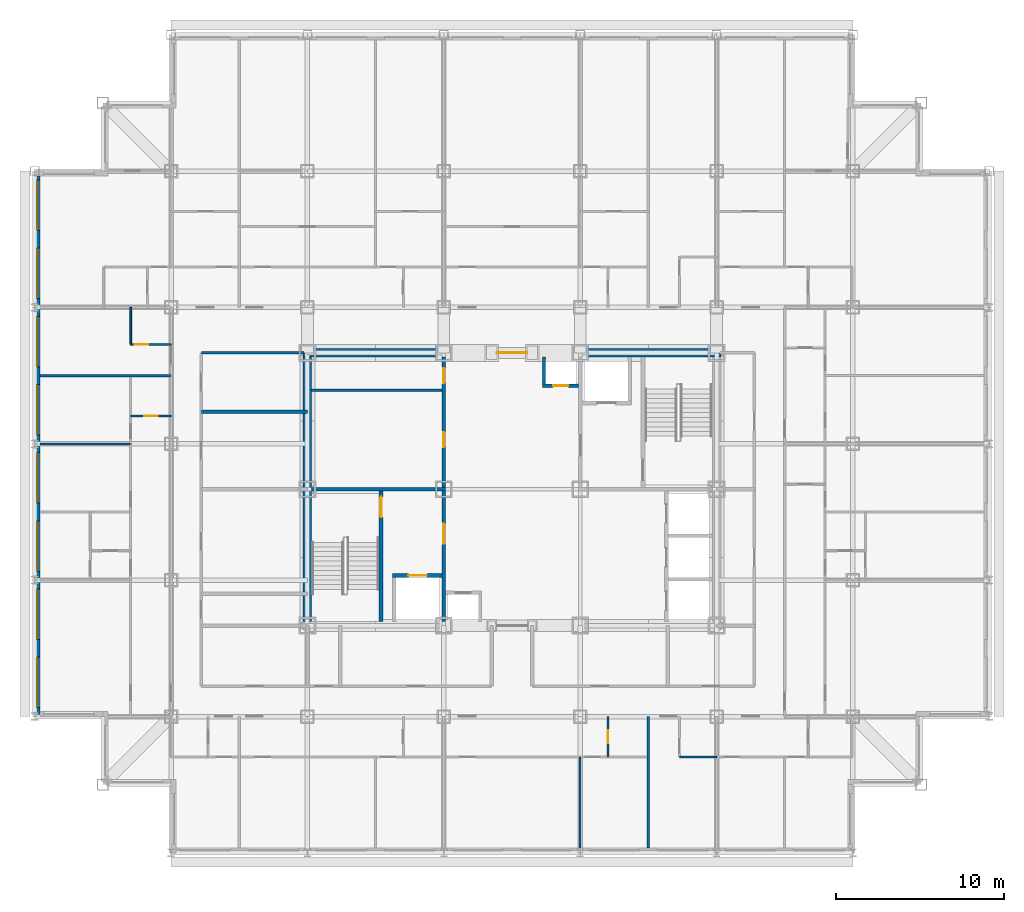
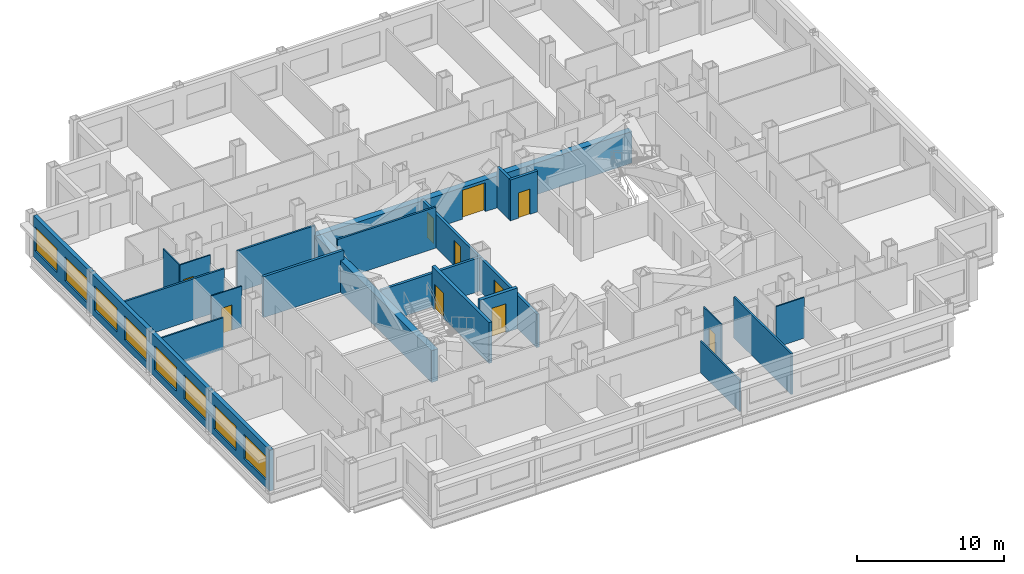
# One storey, part 6 of 12: 22 walls, 10 doors, 8 windows, 18 openings.
"""IFC4 building model written with IfcOpenShell, lengths in metres."""

from ifc_helpers import new_model, si_unit, direction, frame, frame_2d, origin, place, context, subcontext, project, spatial, rectangle, extrude, material, layer, layer_set, type_object, element, fill, save


model = new_model("IFC4")

# Units and contexts
model_context = context("Model", 3, precision=1e-05, world=origin(), true_north=direction((0.0, 1.0)))
body_context = subcontext(model_context, "Body", "Model", "MODEL_VIEW")
ifc_project = project(units=[si_unit("LENGTHUNIT", "METRE"), si_unit("AREAUNIT", "SQUARE_METRE"), si_unit("VOLUMEUNIT", "CUBIC_METRE"), si_unit("PLANEANGLEUNIT", "RADIAN"), si_unit("MASSUNIT", "GRAM", prefix="KILO")], contexts=[model_context])

# Site, building, storey
site_placement = place(None, origin())
site = spatial("IfcSite", under=ifc_project, at=site_placement, CompositionType="ELEMENT")
building_placement = place(site_placement, origin())
building = spatial("IfcBuilding", under=site, at=building_placement, Name="Kopane Lantern Tower", CompositionType="ELEMENT")
storey_placement = place(building_placement, frame((0.0, 0.0, 224.39990234375)))
storey = spatial("IfcBuildingStorey", under=building, at=storey_placement, Name="L58", CompositionType="ELEMENT", Elevation=224.39990234375)

# Walls
ifc_material_1 = material(Name="Gypsum board on steel studs", Category="steel")
ifc_layer_1 = layer(ifc_material_1, 0.1201171875)
ifc_layer_set_1 = layer_set([ifc_layer_1], Name="APARTMENT INTERNAL WALL 120")
wall_type_1 = type_object("IfcWallType", Name="APARTMENT INTERNAL WALL 120", PredefinedType="PARTITIONING", material=ifc_layer_set_1)
for number, where, z_axis, x_axis, name in (
    (1, (32.39990234375, 16.5, 0.0), (0.0, 0.0, 1.0), (0.0, -1.0, 0.0), "Apartment Internal Wall 120 L58"),
    (2, (5.699951171875, 35.10009765625, 0.0), (0.0, 0.0, 1.0), (-1.0, 0.0, 0.0), "Apartment Internal Wall 120 L58"),
):
    element("IfcWall", number, at=place(storey_placement, frame(where, z_axis=z_axis, x_axis=x_axis)), inside=storey, type_object=wall_type_1, Name=name, PredefinedType="PARTITIONING", context=body_context, shape_type="SweptSolid", body=[
        extrude(rectangle(XDim=5.39990234375, YDim=0.1201171875, at=frame_2d((2.699951171875, 0.0))), origin(), (0.0, 0.0, 1.0), 2.6279296875),
    ])

# Wall, opening, door
ifc_material_2 = material(Name="Moisture-resistant board on steel studs", Category="steel")
ifc_layer_2 = layer(ifc_material_2, 0.10009765625)
ifc_layer_set_2 = layer_set([ifc_layer_2], Name="BATHROOM WALL 100")
wall_type_2 = type_object("IfcWallType", Name="BATHROOM WALL 100", PredefinedType="PARTITIONING", material=ifc_layer_set_2)
wall_1_placement = place(storey_placement, frame((34.050048828125, 18.89990234375, 0.0), z_axis=(0.0, 0.0, 1.0), x_axis=(0.0, -1.0, 0.0)))
wall_1 = element("IfcWall", 3, at=wall_1_placement, inside=storey, type_object=wall_type_2, Name="Bathroom Wall 100 L58", PredefinedType="PARTITIONING", context=body_context, shape_type="SweptSolid", body=[
    extrude(rectangle(XDim=2.39990234375, YDim=0.10009765625, at=frame_2d((1.199951171875, 0.0))), origin(), (0.0, 0.0, 1.0), 3.39013671875),
])
opening_1_placement = place(wall_1_placement, frame((0.800048828125, 0.0, 0.0)))
opening_1 = element("IfcOpeningElement", 4, at=opening_1_placement, cuts=wall_1, Name="Opening L58-016", PredefinedType="OPENING", context=body_context, shape_type="SweptSolid", body=[
    extrude(rectangle(XDim=0.800048828125, YDim=2.10009765625, at=frame_2d((0.39990234375, 1.050048828125))), frame((0.0, 0.06005859375, 0.0), z_axis=(0.0, -1.0, 0.0), x_axis=(1.0, 0.0, 0.0)), (0.0, 0.0, 1.0), 0.1201171875),
])
ifc_material_3 = material(Name="Timber door set", Category="wood")
door_type_1 = type_object("IfcDoorType", Name="DOOR D2 800x2100", OperationType="SINGLE_SWING_LEFT", PredefinedType="DOOR", material=ifc_material_3)
door_1_placement = place(opening_1_placement, origin())
door_1 = element("IfcDoor", 5, at=door_1_placement, inside=storey, type_object=door_type_1, Name="Door L58-016", OperationType="SINGLE_SWING_LEFT", OverallHeight=2.10009765625, OverallWidth=0.800048828125, PredefinedType="DOOR", context=body_context, shape_type="SweptSolid", body=[
    extrude(rectangle(XDim=0.800048828125, YDim=2.10009765625, at=frame_2d((0.39990234375, 1.050048828125))), frame((0.0, 0.02490234375, 0.0), z_axis=(0.0, -1.0, 0.0), x_axis=(1.0, 0.0, 0.0)), (0.0, 0.0, 1.0), 0.050048828125),
])
fill(opening_1, door_1)

# Wall
wall_2_placement = place(storey_placement, frame((38.300048828125, 16.5, 0.0), z_axis=(0.0, 0.0, 1.0), x_axis=(1.0, 0.0, 0.0)))
element("IfcWall", 6, at=wall_2_placement, inside=storey, type_object=wall_type_2, Name="Bathroom Wall 100 L58", PredefinedType="PARTITIONING", context=body_context, shape_type="SweptSolid", body=[
    extrude(rectangle(XDim=2.199951171875, YDim=0.10009765625, at=frame_2d((1.10009765625, 0.0))), origin(), (0.0, 0.0, 1.0), 3.39013671875),
])

# Wall, opening, door
wall_3_placement = place(storey_placement, frame((8.10009765625, 36.75, 0.0), z_axis=(0.0, 0.0, 1.0), x_axis=(-1.0, 0.0, 0.0)))
wall_3 = element("IfcWall", 7, at=wall_3_placement, inside=storey, type_object=wall_type_2, Name="Bathroom Wall 100 L58", PredefinedType="PARTITIONING", context=body_context, shape_type="SweptSolid", body=[
    extrude(rectangle(XDim=2.400146484375, YDim=0.10009765625, at=frame_2d((1.2001953125, 0.0))), origin(), (0.0, 0.0, 1.0), 3.39013671875),
])
opening_2_placement = place(wall_3_placement, frame((0.800048828125, 0.0, 0.0)))
opening_2 = element("IfcOpeningElement", 8, at=opening_2_placement, cuts=wall_3, Name="Opening L58-032", PredefinedType="OPENING", context=body_context, shape_type="SweptSolid", body=[
    extrude(rectangle(XDim=0.800048828125, YDim=2.10009765625, at=frame_2d((0.39990234375, 1.050048828125))), frame((0.0, 0.06005859375, 0.0), z_axis=(0.0, -1.0, 0.0), x_axis=(1.0, 0.0, 0.0)), (0.0, 0.0, 1.0), 0.1201171875),
])
door_2_placement = place(opening_2_placement, origin())
door_2 = element("IfcDoor", 9, at=door_2_placement, inside=storey, type_object=door_type_1, Name="Door L58-032", OperationType="SINGLE_SWING_RIGHT", OverallHeight=2.10009765625, OverallWidth=0.800048828125, PredefinedType="DOOR", context=body_context, shape_type="SweptSolid", body=[
    extrude(rectangle(XDim=0.800048828125, YDim=2.10009765625, at=frame_2d((0.39990234375, 1.050048828125))), frame((0.0, 0.02490234375, 0.0), z_axis=(0.0, -1.0, 0.0), x_axis=(1.0, 0.0, 0.0)), (0.0, 0.0, 1.0), 0.050048828125),
])
fill(opening_2, door_2)

# Wall
wall_4_placement = place(storey_placement, frame((5.699951171875, 41.0, 0.0), z_axis=(0.0, 0.0, 1.0), x_axis=(0.0, 1.0, 0.0)))
element("IfcWall", 10, at=wall_4_placement, inside=storey, type_object=wall_type_2, Name="Bathroom Wall 100 L58", PredefinedType="PARTITIONING", context=body_context, shape_type="SweptSolid", body=[
    extrude(rectangle(XDim=2.199951171875, YDim=0.10009765625, at=frame_2d((1.10009765625, 0.0))), origin(), (0.0, 0.0, 1.0), 3.39013671875),
])

# Wall, opening, door
wall_5_placement = place(storey_placement, frame((8.10009765625, 41.0, 0.0), z_axis=(0.0, 0.0, 1.0), x_axis=(-1.0, 0.0, 0.0)))
wall_5 = element("IfcWall", 11, at=wall_5_placement, inside=storey, type_object=wall_type_2, Name="Bathroom Wall 100 L58", PredefinedType="PARTITIONING", context=body_context, shape_type="SweptSolid", body=[
    extrude(rectangle(XDim=2.400146484375, YDim=0.10009765625, at=frame_2d((1.2001953125, 0.0))), origin(), (0.0, 0.0, 1.0), 3.39013671875),
])
opening_3_placement = place(wall_5_placement, frame((1.35009765625, 0.0, 0.0)))
opening_3 = element("IfcOpeningElement", 12, at=opening_3_placement, cuts=wall_5, Name="Opening L58-039", PredefinedType="OPENING", context=body_context, shape_type="SweptSolid", body=[
    extrude(rectangle(XDim=0.800048828125, YDim=2.10009765625, at=frame_2d((0.39990234375, 1.050048828125))), frame((0.0, 0.06005859375, 0.0), z_axis=(0.0, -1.0, 0.0), x_axis=(1.0, 0.0, 0.0)), (0.0, 0.0, 1.0), 0.1201171875),
])
door_3_placement = place(opening_3_placement, origin())
door_3 = element("IfcDoor", 13, at=door_3_placement, inside=storey, type_object=door_type_1, Name="Door L58-039", OperationType="SINGLE_SWING_LEFT", OverallHeight=2.10009765625, OverallWidth=0.800048828125, PredefinedType="DOOR", context=body_context, shape_type="SweptSolid", body=[
    extrude(rectangle(XDim=0.800048828125, YDim=2.10009765625, at=frame_2d((0.39990234375, 1.050048828125))), frame((0.0, 0.02490234375, 0.0), z_axis=(0.0, -1.0, 0.0), x_axis=(1.0, 0.0, 0.0)), (0.0, 0.0, 1.0), 0.050048828125),
])
fill(opening_3, door_3)

ifc_material_4 = material(Name="Gypsum shaft wall EI 120", Category="gypsum")
ifc_layer_3 = layer(ifc_material_4, 0.5)
ifc_layer_set_3 = layer_set([ifc_layer_3], Name="CORE PERIMETER WALL 500 EI 120")
wall_type_3 = type_object("IfcWallType", Name="CORE PERIMETER WALL 500 EI 120", PredefinedType="SOLIDWALL", material=ifc_layer_set_3)
wall_6_placement = place(storey_placement, frame((15.949951171875, 40.5, 0.0), z_axis=(0.0, 0.0, 1.0), x_axis=(1.0, 0.0, 0.0)))
wall_6 = element("IfcWall", 14, at=wall_6_placement, inside=storey, type_object=wall_type_3, Name="Core shaft wall L58 PN", PredefinedType="SOLIDWALL", context=body_context, shape_type="SweptSolid", body=[
    extrude(rectangle(XDim=24.800048828125, YDim=0.5, at=frame_2d((12.39990234375, 0.0))), origin(), (0.0, 0.0, 1.0), 2.6279296875),
])
opening_4_placement = place(wall_6_placement, frame((11.5, 0.0, 0.0)))
opening_4 = element("IfcOpeningElement", 15, at=opening_4_placement, cuts=wall_6, Name="Opening 58.CE-N", PredefinedType="OPENING", context=body_context, shape_type="SweptSolid", body=[
    extrude(rectangle(XDim=1.800048828125, YDim=2.39990234375, at=frame_2d((0.89990234375, 1.199951171875))), frame((0.0, 0.260009765625, 0.0), z_axis=(0.0, -1.0, 0.0), x_axis=(1.0, 0.0, 0.0)), (0.0, 0.0, 1.0), 0.52001953125),
])
ifc_material_5 = material(Name="Steel door set", Category="steel")
door_type_2 = type_object("IfcDoorType", Name="CORE ENTRY DOOR 1800x2400 FD60S", OperationType="DOUBLE_DOOR_SINGLE_SWING", PredefinedType="DOOR", material=ifc_material_5)
door_4_placement = place(opening_4_placement, origin())
door_4 = element("IfcDoor", 16, at=door_4_placement, inside=storey, type_object=door_type_2, Name="Core entry door L58 north", OperationType="DOUBLE_DOOR_SINGLE_SWING", OverallHeight=2.39990234375, OverallWidth=1.800048828125, PredefinedType="DOOR", context=body_context, shape_type="SweptSolid", body=[
    extrude(rectangle(XDim=1.800048828125, YDim=2.39990234375, at=frame_2d((0.89990234375, 1.199951171875))), frame((0.0, 0.02490234375, 0.0), z_axis=(0.0, -1.0, 0.0), x_axis=(1.0, 0.0, 0.0)), (0.0, 0.0, 1.0), 0.050048828125),
])
fill(opening_4, door_4)

# Walls
wall_7_placement = place(storey_placement, frame((16.199951171875, 24.550048828125, 0.0), z_axis=(0.0, 0.0, 1.0), x_axis=(0.0, 1.0, 0.0)))
element("IfcWall", 17, at=wall_7_placement, inside=storey, type_object=wall_type_3, Name="Core shaft wall L58 PW", PredefinedType="SOLIDWALL", context=body_context, shape_type="SweptSolid", body=[
    extrude(rectangle(XDim=15.699951171875, YDim=0.5, at=frame_2d((7.85009765625, 0.0))), origin(), (0.0, 0.0, 1.0), 2.6279296875),
])
ifc_material_6 = material(Name="Gypsum partition EI 60", Category="gypsum")
ifc_layer_4 = layer(ifc_material_6, 0.14990234375)
ifc_layer_set_4 = layer_set([ifc_layer_4], Name="CORE ROOM PARTITION 150 EI 60")
wall_type_4 = type_object("IfcWallType", Name="CORE ROOM PARTITION 150 EI 60", PredefinedType="PARTITIONING", material=ifc_layer_set_4)
wall_8_placement = place(storey_placement, frame((16.449951171875, 38.27490234375, 0.0), z_axis=(0.0, 0.0, 1.0), x_axis=(1.0, 0.0, 0.0)))
element("IfcWall", 18, at=wall_8_placement, inside=storey, type_object=wall_type_4, Name="Core room partition L58 WW1", PredefinedType="PARTITIONING", context=body_context, shape_type="SweptSolid", body=[
    extrude(rectangle(XDim=7.75, YDim=0.14990234375, at=frame_2d((3.875, 0.0))), origin(), (0.0, 0.0, 1.0), 3.39013671875),
])

# Wall, openings, doors
ifc_material_7 = material(Name="Gypsum partition EI 60", Category="gypsum")
ifc_layer_5 = layer(ifc_material_7, 0.199951171875)
ifc_layer_set_5 = layer_set([ifc_layer_5], Name="CORE ROOM WALL 200 EI 60")
wall_type_5 = type_object("IfcWallType", Name="CORE ROOM WALL 200 EI 60", PredefinedType="PARTITIONING", material=ifc_layer_set_5)
wall_9_placement = place(storey_placement, frame((24.300048828125, 32.5, 0.0), z_axis=(0.0, 0.0, 1.0), x_axis=(0.0, 1.0, 0.0)))
wall_9 = element("IfcWall", 19, at=wall_9_placement, inside=storey, type_object=wall_type_5, Name="Core room wall L58 XW", PredefinedType="PARTITIONING", context=body_context, shape_type="SweptSolid", body=[
    extrude(rectangle(XDim=7.75, YDim=0.199951171875, at=frame_2d((3.875, 0.0))), origin(), (0.0, 0.0, 1.0), 2.77783203125),
])
opening_5_placement = place(wall_9_placement, frame((2.39990234375, 0.0, 0.0)))
opening_5 = element("IfcOpeningElement", 20, at=opening_5_placement, cuts=wall_9, Name="Opening 58.C30", PredefinedType="OPENING", context=body_context, shape_type="SweptSolid", body=[
    extrude(rectangle(XDim=0.89990234375, YDim=2.10009765625, at=frame_2d((0.449951171875, 1.050048828125))), frame((0.0, 0.10986328125, 0.0), z_axis=(0.0, -1.0, 0.0), x_axis=(1.0, 0.0, 0.0)), (0.0, 0.0, 1.0), 0.219970703125),
])
opening_6_placement = place(wall_9_placement, frame((6.199951171875, 0.0, 0.0)))
opening_6 = element("IfcOpeningElement", 21, at=opening_6_placement, cuts=wall_9, Name="Opening 58.C31", PredefinedType="OPENING", context=body_context, shape_type="SweptSolid", body=[
    extrude(rectangle(XDim=0.89990234375, YDim=2.10009765625, at=frame_2d((0.449951171875, 1.050048828125))), frame((0.0, 0.10986328125, 0.0), z_axis=(0.0, -1.0, 0.0), x_axis=(1.0, 0.0, 0.0)), (0.0, 0.0, 1.0), 0.219970703125),
])
ifc_material_8 = material(Name="Steel door set", Category="steel")
door_type_3 = type_object("IfcDoorType", Name="CORE ROOM DOOR 900x2100 FD60", OperationType="SINGLE_SWING_LEFT", PredefinedType="DOOR", material=ifc_material_8)
door_5_placement = place(opening_5_placement, origin())
door_5 = element("IfcDoor", 22, at=door_5_placement, inside=storey, type_object=door_type_3, Name="Door Residents storage L58", OperationType="SINGLE_SWING_LEFT", OverallHeight=2.10009765625, OverallWidth=0.89990234375, PredefinedType="DOOR", context=body_context, shape_type="SweptSolid", body=[
    extrude(rectangle(XDim=0.89990234375, YDim=2.10009765625, at=frame_2d((0.449951171875, 1.050048828125))), frame((0.0, 0.02490234375, 0.0), z_axis=(0.0, -1.0, 0.0), x_axis=(1.0, 0.0, 0.0)), (0.0, 0.0, 1.0), 0.050048828125),
])
fill(opening_5, door_5)
door_6_placement = place(opening_6_placement, origin())
door_6 = element("IfcDoor", 23, at=door_6_placement, inside=storey, type_object=door_type_3, Name="Door Refuse room L58", OperationType="SINGLE_SWING_LEFT", OverallHeight=2.10009765625, OverallWidth=0.89990234375, PredefinedType="DOOR", context=body_context, shape_type="SweptSolid", body=[
    extrude(rectangle(XDim=0.89990234375, YDim=2.10009765625, at=frame_2d((0.449951171875, 1.050048828125))), frame((0.0, 0.02490234375, 0.0), z_axis=(0.0, -1.0, 0.0), x_axis=(1.0, 0.0, 0.0)), (0.0, 0.0, 1.0), 0.050048828125),
])
fill(opening_6, door_6)

# Wall, opening, door
ifc_material_9 = material(Name="Gypsum shaft wall EI 120", Category="gypsum")
ifc_layer_6 = layer(ifc_material_9, 0.25)
ifc_layer_set_6 = layer_set([ifc_layer_6], Name="CORE SHAFT WALL 250 EI 120")
wall_type_6 = type_object("IfcWallType", Name="CORE SHAFT WALL 250 EI 120", PredefinedType="SOLIDWALL", material=ifc_layer_set_6)
wall_10_placement = place(storey_placement, frame((20.574951171875, 24.550048828125, 0.0), z_axis=(0.0, 0.0, 1.0), x_axis=(0.0, 1.0, 0.0)))
wall_10 = element("IfcWall", 24, at=wall_10_placement, inside=storey, type_object=wall_type_6, Name="Core shaft wall L58 XST1", PredefinedType="SOLIDWALL", context=body_context, shape_type="SweptSolid", body=[
    extrude(rectangle(XDim=7.75, YDim=0.25, at=frame_2d((3.875, 0.0))), origin(), (0.0, 0.0, 1.0), 3.39013671875),
])
opening_7_placement = place(wall_10_placement, frame((6.199951171875, 0.0, 0.0)))
opening_7 = element("IfcOpeningElement", 25, at=opening_7_placement, cuts=wall_10, Name="Opening 58.SD1", PredefinedType="OPENING", context=body_context, shape_type="SweptSolid", body=[
    extrude(rectangle(XDim=1.199951171875, YDim=2.10009765625, at=frame_2d((0.60009765625, 1.050048828125))), frame((0.0, 0.135009765625, 0.0), z_axis=(0.0, -1.0, 0.0), x_axis=(1.0, 0.0, 0.0)), (0.0, 0.0, 1.0), 0.27001953125),
])
ifc_material_10 = material(Name="Steel door set", Category="steel")
door_type_4 = type_object("IfcDoorType", Name="STAIR DOOR 1200x2100 FD60S", OperationType="SINGLE_SWING_LEFT", PredefinedType="DOOR", material=ifc_material_10)
door_7_placement = place(opening_7_placement, origin())
door_7 = element("IfcDoor", 26, at=door_7_placement, inside=storey, type_object=door_type_4, Name="Stair door ST1 L58", OperationType="SINGLE_SWING_LEFT", OverallHeight=2.10009765625, OverallWidth=1.199951171875, PredefinedType="DOOR", context=body_context, shape_type="SweptSolid", body=[
    extrude(rectangle(XDim=1.199951171875, YDim=2.10009765625, at=frame_2d((0.60009765625, 1.050048828125))), frame((0.0, 0.02490234375, 0.0), z_axis=(0.0, -1.0, 0.0), x_axis=(1.0, 0.0, 0.0)), (0.0, 0.0, 1.0), 0.050048828125),
])
fill(opening_7, door_7)

wall_11_placement = place(storey_placement, frame((21.25, 27.27490234375, 0.0), z_axis=(0.0, 0.0, 1.0), x_axis=(1.0, 0.0, 0.0)))
wall_11 = element("IfcWall", 27, at=wall_11_placement, inside=storey, type_object=wall_type_6, Name="Core shaft wall L58 YLF1", PredefinedType="SOLIDWALL", context=body_context, shape_type="SweptSolid", body=[
    extrude(rectangle(XDim=2.949951171875, YDim=0.25, at=frame_2d((1.47509765625, 0.0))), origin(), (0.0, 0.0, 1.0), 3.39013671875),
])
opening_8_placement = place(wall_11_placement, frame((0.949951171875, 0.0, 0.0)))
opening_8 = element("IfcOpeningElement", 28, at=opening_8_placement, cuts=wall_11, Name="Opening 58.LD-LF1", PredefinedType="OPENING", context=body_context, shape_type="SweptSolid", body=[
    extrude(rectangle(XDim=1.10009765625, YDim=2.39990234375, at=frame_2d((0.550048828125, 1.199951171875))), frame((0.0, 0.135009765625, 0.0), z_axis=(0.0, -1.0, 0.0), x_axis=(1.0, 0.0, 0.0)), (0.0, 0.0, 1.0), 0.27001953125),
])
ifc_material_11 = material(Name="Steel door set", Category="steel")
door_type_5 = type_object("IfcDoorType", Name="LIFT LANDING DOOR 1100x2400 FD60", OperationType="DOUBLE_DOOR_SLIDING", PredefinedType="DOOR", material=ifc_material_11)
door_8_placement = place(opening_8_placement, origin())
door_8 = element("IfcDoor", 29, at=door_8_placement, inside=storey, type_object=door_type_5, Name="Landing door LF1 L58", OperationType="DOUBLE_DOOR_SLIDING", OverallHeight=2.39990234375, OverallWidth=1.10009765625, PredefinedType="DOOR", context=body_context, shape_type="SweptSolid", body=[
    extrude(rectangle(XDim=1.10009765625, YDim=2.39990234375, at=frame_2d((0.550048828125, 1.199951171875))), frame((0.0, 0.02490234375, 0.0), z_axis=(0.0, -1.0, 0.0), x_axis=(1.0, 0.0, 0.0)), (0.0, 0.0, 1.0), 0.050048828125),
])
fill(opening_8, door_8)

# Walls
ifc_material_12 = material(Name="Gypsum board on steel studs", Category="steel")
ifc_layer_7 = layer(ifc_material_12, 0.14990234375)
ifc_layer_set_7 = layer_set([ifc_layer_7], Name="CORRIDOR WALL 150 EI 60")
wall_type_7 = type_object("IfcWallType", Name="CORRIDOR WALL 150 EI 60", PredefinedType="PARTITIONING", material=ifc_layer_set_7)
wall_12_placement = place(storey_placement, frame((16.0, 40.5, 0.0), z_axis=(0.0, 0.0, 1.0), x_axis=(-1.0, 0.0, 0.0)))
element("IfcWall", 30, at=wall_12_placement, inside=storey, type_object=wall_type_7, Name="Corridor Wall 150 Ei 60 L58", PredefinedType="PARTITIONING", context=body_context, shape_type="SweptSolid", body=[
    extrude(rectangle(XDim=6.10009765625, YDim=0.14990234375, at=frame_2d((3.050048828125, 0.0))), origin(), (0.0, 0.0, 1.0), 3.39013671875),
])
ifc_material_13 = material(Name="Gypsum board on steel studs", Category="steel")
ifc_layer_8 = layer(ifc_material_13, 0.14990234375)
ifc_layer_set_8 = layer_set([ifc_layer_8], Name="DEMISING WALL 150 EI 60")
wall_type_8 = type_object("IfcWallType", Name="DEMISING WALL 150 EI 60", PredefinedType="PARTITIONING", material=ifc_layer_set_8)
wall_13_placement = place(storey_placement, frame((36.449951171875, 18.89990234375, 0.0), z_axis=(0.0, 0.0, 1.0), x_axis=(0.0, -1.0, 0.0)))
element("IfcWall", 31, at=wall_13_placement, inside=storey, type_object=wall_type_8, Name="Demising Wall 150 Ei 60 L58", PredefinedType="PARTITIONING", context=body_context, shape_type="SweptSolid", body=[
    extrude(rectangle(XDim=7.7998046875, YDim=0.14990234375, at=frame_2d((3.89990234375, 0.0))), origin(), (0.0, 0.0, 1.0), 3.39013671875),
])
wall_14_placement = place(storey_placement, frame((8.10009765625, 39.14990234375, 0.0), z_axis=(0.0, 0.0, 1.0), x_axis=(-1.0, 0.0, 0.0)))
element("IfcWall", 32, at=wall_14_placement, inside=storey, type_object=wall_type_8, Name="Demising Wall 150 Ei 60 L58", PredefinedType="PARTITIONING", context=body_context, shape_type="SweptSolid", body=[
    extrude(rectangle(XDim=7.800048828125, YDim=0.14990234375, at=frame_2d((3.89990234375, 0.0))), origin(), (0.0, 0.0, 1.0), 3.39013671875),
])

# Wall, openings, windows
ifc_material_14 = material(Name="Terracotta rainscreen on light steel framing", Category="masonry")
ifc_layer_9 = layer(ifc_material_14, 0.300048828125)
ifc_layer_set_9 = layer_set([ifc_layer_9], Name="EXTERNAL WALL EW1 300 TERRACOTTA")
wall_type_9 = type_object("IfcWallType", Name="EXTERNAL WALL EW1 300 TERRACOTTA", PredefinedType="SOLIDWALL", material=ifc_layer_set_9)
wall_15_placement = place(storey_placement, frame((0.14990234375, 51.0, 0.0), z_axis=(0.0, 0.0, 1.0), x_axis=(0.0, -1.0, 0.0)))
wall_15 = element("IfcWall", 33, at=wall_15_placement, inside=storey, type_object=wall_type_9, Name="External wall W L58", PredefinedType="SOLIDWALL", context=body_context, shape_type="SweptSolid", body=[
    extrude(rectangle(XDim=32.10009765625, YDim=0.300048828125, at=frame_2d((16.050048828125, 0.0))), origin(), (0.0, 0.0, 1.0), 3.39013671875),
])
opening_9_placement = place(wall_15_placement, frame((0.22509765625, 0.0, 0.60009765625)))
opening_9 = element("IfcOpeningElement", 34, at=opening_9_placement, cuts=wall_15, Name="Opening WR300200", PredefinedType="OPENING", context=body_context, shape_type="SweptSolid", body=[
    extrude(rectangle(XDim=3.0, YDim=2.0, at=frame_2d((1.5, 1.0))), frame((0.0, 0.159912109375, 0.0), z_axis=(0.0, -1.0, 0.0), x_axis=(1.0, 0.0, 0.0)), (0.0, 0.0, 1.0), 0.320068359375),
])
opening_10_placement = place(wall_15_placement, frame((4.27490234375, 0.0, 0.60009765625)))
opening_10 = element("IfcOpeningElement", 35, at=opening_10_placement, cuts=wall_15, Name="Opening WR300200", PredefinedType="OPENING", context=body_context, shape_type="SweptSolid", body=[
    extrude(rectangle(XDim=3.0, YDim=2.0, at=frame_2d((1.5, 1.0))), frame((0.0, 0.159912109375, 0.0), z_axis=(0.0, -1.0, 0.0), x_axis=(1.0, 0.0, 0.0)), (0.0, 0.0, 1.0), 0.320068359375),
])
opening_11_placement = place(wall_15_placement, frame((8.324951171875, 0.0, 0.60009765625)))
opening_11 = element("IfcOpeningElement", 36, at=opening_11_placement, cuts=wall_15, Name="Opening WR300200", PredefinedType="OPENING", context=body_context, shape_type="SweptSolid", body=[
    extrude(rectangle(XDim=3.0, YDim=2.0, at=frame_2d((1.5, 1.0))), frame((0.0, 0.159912109375, 0.0), z_axis=(0.0, -1.0, 0.0), x_axis=(1.0, 0.0, 0.0)), (0.0, 0.0, 1.0), 0.320068359375),
])
opening_12_placement = place(wall_15_placement, frame((12.375, 0.0, 0.60009765625)))
opening_12 = element("IfcOpeningElement", 37, at=opening_12_placement, cuts=wall_15, Name="Opening WR300200", PredefinedType="OPENING", context=body_context, shape_type="SweptSolid", body=[
    extrude(rectangle(XDim=3.0, YDim=2.0, at=frame_2d((1.5, 1.0))), frame((0.0, 0.159912109375, 0.0), z_axis=(0.0, -1.0, 0.0), x_axis=(1.0, 0.0, 0.0)), (0.0, 0.0, 1.0), 0.320068359375),
])
opening_13_placement = place(wall_15_placement, frame((16.425048828125, 0.0, 0.60009765625)))
opening_13 = element("IfcOpeningElement", 38, at=opening_13_placement, cuts=wall_15, Name="Opening WR300200", PredefinedType="OPENING", context=body_context, shape_type="SweptSolid", body=[
    extrude(rectangle(XDim=3.0, YDim=2.0, at=frame_2d((1.5, 1.0))), frame((0.0, 0.159912109375, 0.0), z_axis=(0.0, -1.0, 0.0), x_axis=(1.0, 0.0, 0.0)), (0.0, 0.0, 1.0), 0.320068359375),
])
opening_14_placement = place(wall_15_placement, frame((20.47509765625, 0.0, 0.60009765625)))
opening_14 = element("IfcOpeningElement", 39, at=opening_14_placement, cuts=wall_15, Name="Opening WR300200", PredefinedType="OPENING", context=body_context, shape_type="SweptSolid", body=[
    extrude(rectangle(XDim=3.0, YDim=2.0, at=frame_2d((1.5, 1.0))), frame((0.0, 0.159912109375, 0.0), z_axis=(0.0, -1.0, 0.0), x_axis=(1.0, 0.0, 0.0)), (0.0, 0.0, 1.0), 0.320068359375),
])
opening_15_placement = place(wall_15_placement, frame((24.52490234375, 0.0, 0.60009765625)))
opening_15 = element("IfcOpeningElement", 40, at=opening_15_placement, cuts=wall_15, Name="Opening WR300200", PredefinedType="OPENING", context=body_context, shape_type="SweptSolid", body=[
    extrude(rectangle(XDim=3.0, YDim=2.0, at=frame_2d((1.5, 1.0))), frame((0.0, 0.159912109375, 0.0), z_axis=(0.0, -1.0, 0.0), x_axis=(1.0, 0.0, 0.0)), (0.0, 0.0, 1.0), 0.320068359375),
])
opening_16_placement = place(wall_15_placement, frame((28.574951171875, 0.0, 0.60009765625)))
opening_16 = element("IfcOpeningElement", 41, at=opening_16_placement, cuts=wall_15, Name="Opening WR300200", PredefinedType="OPENING", context=body_context, shape_type="SweptSolid", body=[
    extrude(rectangle(XDim=3.0, YDim=2.0, at=frame_2d((1.5, 1.0))), frame((0.0, 0.159912109375, 0.0), z_axis=(0.0, -1.0, 0.0), x_axis=(1.0, 0.0, 0.0)), (0.0, 0.0, 1.0), 0.320068359375),
])
ifc_material_15 = material(Name="Aluminium and clear glass", Category="aluminium")
window_type = type_object("IfcWindowType", Name="RIBBON WINDOW WR300200 3000x2000", PartitioningType="SINGLE_PANEL", PredefinedType="WINDOW", material=ifc_material_15)
window_1_placement = place(opening_9_placement, origin())
window_1 = element("IfcWindow", 42, at=window_1_placement, inside=storey, type_object=window_type, Name="Window W L58", OverallHeight=2.0, OverallWidth=3.0, PartitioningType="SINGLE_PANEL", PredefinedType="WINDOW", context=body_context, shape_type="SweptSolid", body=[
    extrude(rectangle(XDim=3.0, YDim=2.0, at=frame_2d((1.5, 1.0))), frame((0.0, 0.030029296875, 0.0), z_axis=(0.0, -1.0, 0.0), x_axis=(1.0, 0.0, 0.0)), (0.0, 0.0, 1.0), 0.06005859375),
])
fill(opening_9, window_1)
window_2_placement = place(opening_10_placement, origin())
window_2 = element("IfcWindow", 43, at=window_2_placement, inside=storey, type_object=window_type, Name="Window W L58", OverallHeight=2.0, OverallWidth=3.0, PartitioningType="SINGLE_PANEL", PredefinedType="WINDOW", context=body_context, shape_type="SweptSolid", body=[
    extrude(rectangle(XDim=3.0, YDim=2.0, at=frame_2d((1.5, 1.0))), frame((0.0, 0.030029296875, 0.0), z_axis=(0.0, -1.0, 0.0), x_axis=(1.0, 0.0, 0.0)), (0.0, 0.0, 1.0), 0.06005859375),
])
fill(opening_10, window_2)
window_3_placement = place(opening_11_placement, origin())
window_3 = element("IfcWindow", 44, at=window_3_placement, inside=storey, type_object=window_type, Name="Window W L58", OverallHeight=2.0, OverallWidth=3.0, PartitioningType="SINGLE_PANEL", PredefinedType="WINDOW", context=body_context, shape_type="SweptSolid", body=[
    extrude(rectangle(XDim=3.0, YDim=2.0, at=frame_2d((1.5, 1.0))), frame((0.0, 0.030029296875, 0.0), z_axis=(0.0, -1.0, 0.0), x_axis=(1.0, 0.0, 0.0)), (0.0, 0.0, 1.0), 0.06005859375),
])
fill(opening_11, window_3)
window_4_placement = place(opening_12_placement, origin())
window_4 = element("IfcWindow", 45, at=window_4_placement, inside=storey, type_object=window_type, Name="Window W L58", OverallHeight=2.0, OverallWidth=3.0, PartitioningType="SINGLE_PANEL", PredefinedType="WINDOW", context=body_context, shape_type="SweptSolid", body=[
    extrude(rectangle(XDim=3.0, YDim=2.0, at=frame_2d((1.5, 1.0))), frame((0.0, 0.030029296875, 0.0), z_axis=(0.0, -1.0, 0.0), x_axis=(1.0, 0.0, 0.0)), (0.0, 0.0, 1.0), 0.06005859375),
])
fill(opening_12, window_4)
window_5_placement = place(opening_13_placement, origin())
window_5 = element("IfcWindow", 46, at=window_5_placement, inside=storey, type_object=window_type, Name="Window W L58", OverallHeight=2.0, OverallWidth=3.0, PartitioningType="SINGLE_PANEL", PredefinedType="WINDOW", context=body_context, shape_type="SweptSolid", body=[
    extrude(rectangle(XDim=3.0, YDim=2.0, at=frame_2d((1.5, 1.0))), frame((0.0, 0.030029296875, 0.0), z_axis=(0.0, -1.0, 0.0), x_axis=(1.0, 0.0, 0.0)), (0.0, 0.0, 1.0), 0.06005859375),
])
fill(opening_13, window_5)
window_6_placement = place(opening_14_placement, origin())
window_6 = element("IfcWindow", 47, at=window_6_placement, inside=storey, type_object=window_type, Name="Window W L58", OverallHeight=2.0, OverallWidth=3.0, PartitioningType="SINGLE_PANEL", PredefinedType="WINDOW", context=body_context, shape_type="SweptSolid", body=[
    extrude(rectangle(XDim=3.0, YDim=2.0, at=frame_2d((1.5, 1.0))), frame((0.0, 0.030029296875, 0.0), z_axis=(0.0, -1.0, 0.0), x_axis=(1.0, 0.0, 0.0)), (0.0, 0.0, 1.0), 0.06005859375),
])
fill(opening_14, window_6)
window_7_placement = place(opening_15_placement, origin())
window_7 = element("IfcWindow", 48, at=window_7_placement, inside=storey, type_object=window_type, Name="Window W L58", OverallHeight=2.0, OverallWidth=3.0, PartitioningType="SINGLE_PANEL", PredefinedType="WINDOW", context=body_context, shape_type="SweptSolid", body=[
    extrude(rectangle(XDim=3.0, YDim=2.0, at=frame_2d((1.5, 1.0))), frame((0.0, 0.030029296875, 0.0), z_axis=(0.0, -1.0, 0.0), x_axis=(1.0, 0.0, 0.0)), (0.0, 0.0, 1.0), 0.06005859375),
])
fill(opening_15, window_7)
window_8_placement = place(opening_16_placement, origin())
window_8 = element("IfcWindow", 49, at=window_8_placement, inside=storey, type_object=window_type, Name="Window W L58", OverallHeight=2.0, OverallWidth=3.0, PartitioningType="SINGLE_PANEL", PredefinedType="WINDOW", context=body_context, shape_type="SweptSolid", body=[
    extrude(rectangle(XDim=3.0, YDim=2.0, at=frame_2d((1.5, 1.0))), frame((0.0, 0.030029296875, 0.0), z_axis=(0.0, -1.0, 0.0), x_axis=(1.0, 0.0, 0.0)), (0.0, 0.0, 1.0), 0.06005859375),
])
fill(opening_16, window_8)

# Walls
ifc_material_16 = material(Name="Concrete masonry", Category="masonry")
ifc_layer_10 = layer(ifc_material_16, 0.199951171875)
ifc_layer_set_10 = layer_set([ifc_layer_10], Name="PLANT ROOM WALL 200 EI 120")
wall_type_10 = type_object("IfcWallType", Name="PLANT ROOM WALL 200 EI 120", PredefinedType="SOLIDWALL", material=ifc_layer_set_10)
wall_16_placement = place(storey_placement, frame((9.89990234375, 37.003173828125, 0.0), z_axis=(0.0, 0.0, 1.0), x_axis=(1.0, 0.0, 0.0)))
element("IfcWall", 50, at=wall_16_placement, inside=storey, type_object=wall_type_10, Name="Plant Room Wall 200 Ei 120 L58", PredefinedType="SOLIDWALL", context=body_context, shape_type="SweptSolid", body=[
    extrude(rectangle(XDim=6.300048828125, YDim=0.199951171875, at=frame_2d((3.14990234375, 0.0))), origin(), (0.0, 0.0, 1.0), 3.39013671875),
])
ifc_material_17 = material(Name="Gypsum shaft wall EI 120", Category="gypsum")
ifc_layer_11 = layer(ifc_material_17, 0.199951171875)
ifc_layer_set_11 = layer_set([ifc_layer_11], Name="SHAFT WALL 200 EI 120")
wall_type_11 = type_object("IfcWallType", Name="SHAFT WALL 200 EI 120", PredefinedType="SOLIDWALL", material=ifc_layer_set_11)
wall_17_placement = place(storey_placement, frame((16.449951171875, 32.39990234375, 0.0), z_axis=(0.0, 0.0, 1.0), x_axis=(1.0, 0.0, 0.0)))
element("IfcWall", 51, at=wall_17_placement, inside=storey, type_object=wall_type_11, Name="Core shaft wall L58 Y324W", PredefinedType="SOLIDWALL", context=body_context, shape_type="SweptSolid", body=[
    extrude(rectangle(XDim=7.949951171875, YDim=0.199951171875, at=frame_2d((3.97509765625, 0.0))), origin(), (0.0, 0.0, 1.0), 2.77783203125),
])

# Wall, opening, door
wall_18_placement = place(storey_placement, frame((24.300048828125, 24.550048828125, 0.0), z_axis=(0.0, 0.0, 1.0), x_axis=(0.0, 1.0, 0.0)))
wall_18 = element("IfcWall", 52, at=wall_18_placement, inside=storey, type_object=wall_type_11, Name="Core shaft wall L58 X243", PredefinedType="SOLIDWALL", context=body_context, shape_type="SweptSolid", body=[
    extrude(rectangle(XDim=7.75, YDim=0.199951171875, at=frame_2d((3.875, 0.0))), origin(), (0.0, 0.0, 1.0), 2.77783203125),
])
opening_17_placement = place(wall_18_placement, frame((4.60009765625, 0.0, 0.0)))
opening_17 = element("IfcOpeningElement", 53, at=opening_17_placement, cuts=wall_18, Name="Opening 58.FL1", PredefinedType="OPENING", context=body_context, shape_type="SweptSolid", body=[
    extrude(rectangle(XDim=1.199951171875, YDim=2.10009765625, at=frame_2d((0.60009765625, 1.050048828125))), frame((0.0, 0.10986328125, 0.0), z_axis=(0.0, -1.0, 0.0), x_axis=(1.0, 0.0, 0.0)), (0.0, 0.0, 1.0), 0.219970703125),
])
ifc_material_18 = material(Name="Steel door set", Category="steel")
door_type_6 = type_object("IfcDoorType", Name="FIREFIGHTING LOBBY DOOR 1200x2100 FD60S", OperationType="SINGLE_SWING_RIGHT", PredefinedType="DOOR", material=ifc_material_18)
door_9_placement = place(opening_17_placement, origin())
door_9 = element("IfcDoor", 54, at=door_9_placement, inside=storey, type_object=door_type_6, Name="Firefighting lobby door FL1 L58", OperationType="SINGLE_SWING_LEFT", OverallHeight=2.10009765625, OverallWidth=1.199951171875, PredefinedType="DOOR", context=body_context, shape_type="SweptSolid", body=[
    extrude(rectangle(XDim=1.199951171875, YDim=2.10009765625, at=frame_2d((0.60009765625, 1.050048828125))), frame((0.0, 0.02490234375, 0.0), z_axis=(0.0, -1.0, 0.0), x_axis=(1.0, 0.0, 0.0)), (0.0, 0.0, 1.0), 0.050048828125),
])
fill(opening_17, door_9)

# Wall
wall_19_placement = place(storey_placement, frame((30.25, 38.64990234375, 0.0), z_axis=(0.0, 0.0, 1.0), x_axis=(0.0, 1.0, 0.0)))
element("IfcWall", 55, at=wall_19_placement, inside=storey, type_object=wall_type_11, Name="Core shaft wall L58 XRS2", PredefinedType="SOLIDWALL", context=body_context, shape_type="SweptSolid", body=[
    extrude(rectangle(XDim=1.60009765625, YDim=0.199951171875, at=frame_2d((0.800048828125, 0.0))), origin(), (0.0, 0.0, 1.0), 3.39013671875),
])

# Wall, opening, door
wall_20_placement = place(storey_placement, frame((30.14990234375, 38.550048828125, 0.0), z_axis=(0.0, 0.0, 1.0), x_axis=(1.0, 0.0, 0.0)))
wall_20 = element("IfcWall", 56, at=wall_20_placement, inside=storey, type_object=wall_type_11, Name="Core shaft wall L58 YRS2", PredefinedType="SOLIDWALL", context=body_context, shape_type="SweptSolid", body=[
    extrude(rectangle(XDim=2.150146484375, YDim=0.199951171875, at=frame_2d((1.0751953125, 0.0))), origin(), (0.0, 0.0, 1.0), 3.39013671875),
])
opening_18_placement = place(wall_20_placement, frame((0.64990234375, 0.0, 0.0)))
opening_18 = element("IfcOpeningElement", 57, at=opening_18_placement, cuts=wall_20, Name="Opening 58.RS2", PredefinedType="OPENING", context=body_context, shape_type="SweptSolid", body=[
    extrude(rectangle(XDim=0.89990234375, YDim=2.10009765625, at=frame_2d((0.449951171875, 1.050048828125))), frame((0.0, 0.10986328125, 0.0), z_axis=(0.0, -1.0, 0.0), x_axis=(1.0, 0.0, 0.0)), (0.0, 0.0, 1.0), 0.219970703125),
])
ifc_material_19 = material(Name="Steel door set", Category="steel")
door_type_7 = type_object("IfcDoorType", Name="RISER ACCESS DOOR 900x2100 FD60", OperationType="SINGLE_SWING_LEFT", PredefinedType="DOOR", material=ifc_material_19)
door_10_placement = place(opening_18_placement, origin())
door_10 = element("IfcDoor", 58, at=door_10_placement, inside=storey, type_object=door_type_7, Name="Riser access door RS2 L58", OperationType="SINGLE_SWING_LEFT", OverallHeight=2.10009765625, OverallWidth=0.89990234375, PredefinedType="DOOR", context=body_context, shape_type="SweptSolid", body=[
    extrude(rectangle(XDim=0.89990234375, YDim=2.10009765625, at=frame_2d((0.449951171875, 1.050048828125))), frame((0.0, 0.02490234375, 0.0), z_axis=(0.0, -1.0, 0.0), x_axis=(1.0, 0.0, 0.0)), (0.0, 0.0, 1.0), 0.050048828125),
])
fill(opening_18, door_10)

save(model, "model.ifc")
